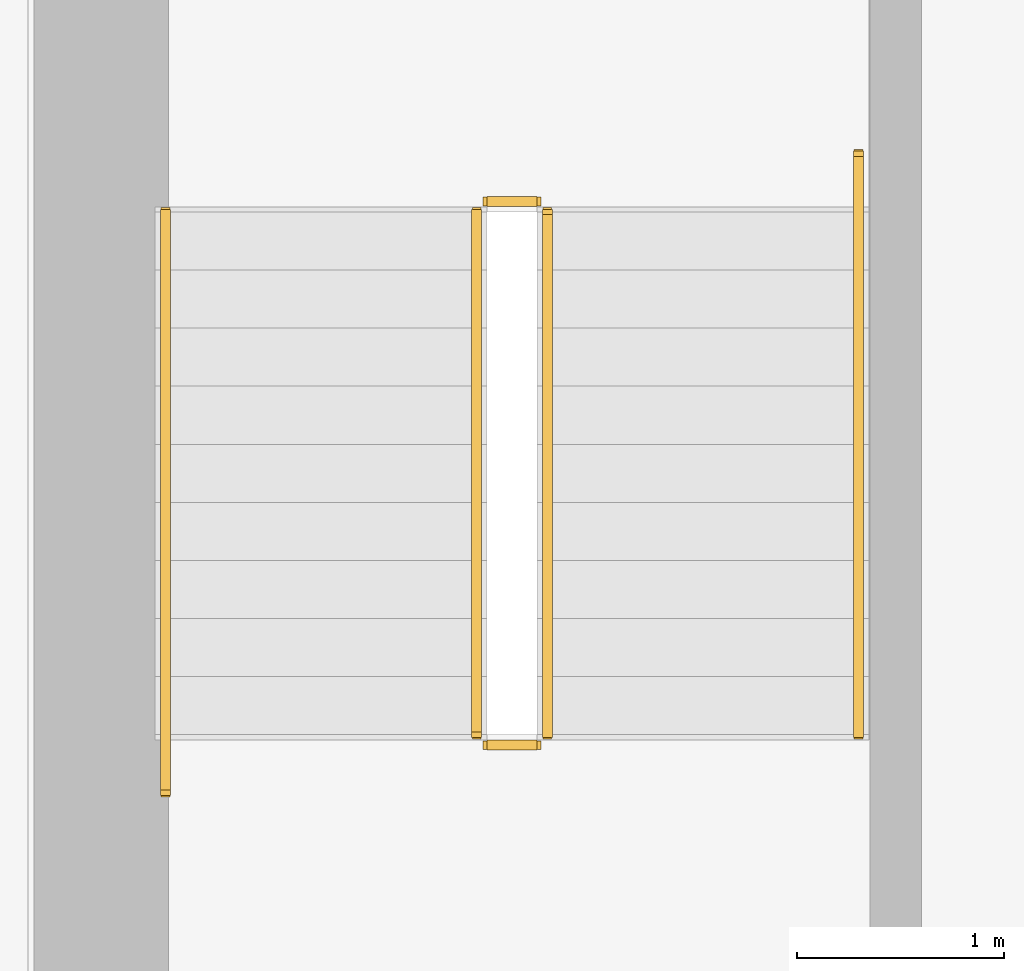
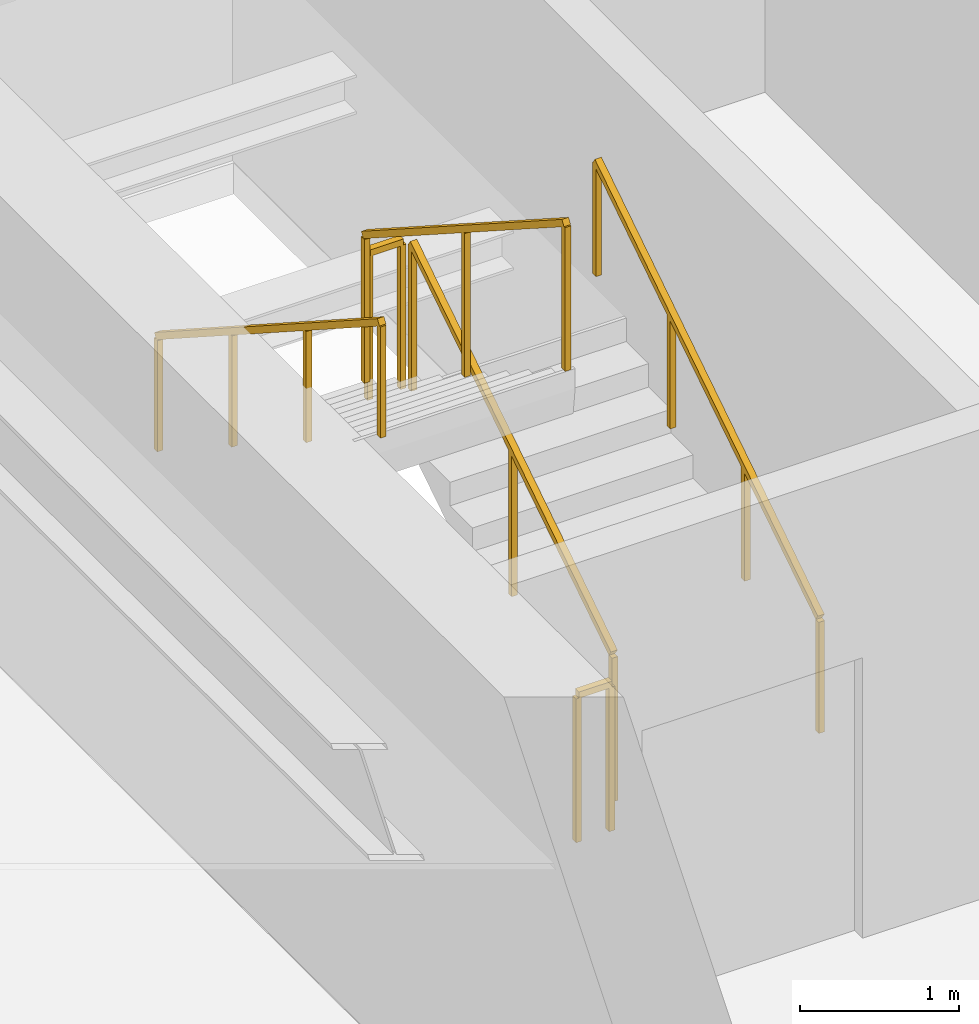
# One storey, part 32 of 35: 6 railings.
"""IFC4 building model written with IfcOpenShell, lengths in metres."""

from ifc_helpers import new_model, si_unit, direction, frame, origin, origin_2d, place, context, subcontext, project, spatial, rectangle, extrude, material, type_object, element, save


model = new_model("IFC4")

# Units and contexts
model_context = context("Model", 3, precision=1e-05, world=origin(), true_north=direction((0.0, 1.0)))
body_context = subcontext(model_context, "Body", "Model", "MODEL_VIEW")
ifc_project = project(units=[si_unit("LENGTHUNIT", "METRE"), si_unit("AREAUNIT", "SQUARE_METRE"), si_unit("VOLUMEUNIT", "CUBIC_METRE"), si_unit("PLANEANGLEUNIT", "RADIAN"), si_unit("MASSUNIT", "GRAM", prefix="KILO")], contexts=[model_context])

# Site, building, storey
site_placement = place(None, origin())
site = spatial("IfcSite", under=ifc_project, at=site_placement, CompositionType="ELEMENT")
building_placement = place(site_placement, origin())
building = spatial("IfcBuilding", under=site, at=building_placement, Name="Sumidabori Civic Tower", CompositionType="ELEMENT")
storey_placement = place(building_placement, frame((0.0, 0.0, 102.800048828125)))
storey = spatial("IfcBuildingStorey", under=building, at=storey_placement, Name="L26", CompositionType="ELEMENT", Elevation=102.800048828125)

# Railings
ifc_material_1 = material(Name="Stainless Steel Hairline Finish", Category="steel")
railing_type_1 = type_object("IfcRailingType", Name="RL-HANDRAIL", PredefinedType="HANDRAIL", material=ifc_material_1)
railing_1_placement = place(storey_placement, frame((-11.949951171875, 16.0, 0.179931640625)))
element("IfcRailing", 1, at=railing_1_placement, inside=storey, type_object=railing_type_1, Name="L26 ST-1 stair handrail 1", PredefinedType="HANDRAIL", context=body_context, shape_type="SweptSolid", body=[
    extrude(rectangle(XDim=0.048095703125, YDim=0.048095703125, at=origin_2d()), frame((0.0, 0.0, 0.8759765625), z_axis=(0.0, 0.840675598268, 0.541539046124), x_axis=(-1.0, 0.0, 0.0)), (0.0, 0.0, 1.0), 3.330810546875),
    extrude(rectangle(XDim=0.0419921875, YDim=0.0419921875, at=origin_2d()), origin(), (0.0, 0.0, 1.0), 0.851806640625),
    extrude(rectangle(XDim=0.0419921875, YDim=0.0419921875, at=origin_2d()), frame((0.0, 0.933349609375, 0.601318359375)), (0.0, 0.0, 1.0), 0.851806640625),
    extrude(rectangle(XDim=0.0419921875, YDim=0.0419921875, at=origin_2d()), frame((0.0, 1.86669921875, 1.202392578125)), (0.0, 0.0, 1.0), 0.851806640625),
    extrude(rectangle(XDim=0.0419921875, YDim=0.0419921875, at=origin_2d()), frame((0.0, 2.800048828125, 1.8037109375)), (0.0, 0.0, 1.0), 0.851806640625),
])
railing_2_placement = place(storey_placement, frame((-15.2900390625, 18.52001953125, 1.97998046875)))
element("IfcRailing", 2, at=railing_2_placement, inside=storey, type_object=railing_type_1, Name="L26 ST-1 stair handrail 2", PredefinedType="HANDRAIL", context=body_context, shape_type="SweptSolid", body=[
    extrude(rectangle(XDim=0.048095703125, YDim=0.048095703125, at=origin_2d()), frame((0.0, 0.0, 0.8759765625), z_axis=(0.0, -0.840675598268, 0.541539046124), x_axis=(1.0, 0.0, 0.0)), (0.0, 0.0, 1.0), 3.330810546875),
    extrude(rectangle(XDim=0.0419921875, YDim=0.0419921875, at=origin_2d()), origin(), (0.0, 0.0, 1.0), 0.851806640625),
    extrude(rectangle(XDim=0.0419921875, YDim=0.0419921875, at=origin_2d()), frame((0.0, -0.933349609375, 0.601318359375)), (0.0, 0.0, 1.0), 0.851806640625),
    extrude(rectangle(XDim=0.0419921875, YDim=0.0419921875, at=origin_2d()), frame((0.0, -1.86669921875, 1.202392578125)), (0.0, 0.0, 1.0), 0.851806640625),
    extrude(rectangle(XDim=0.0419921875, YDim=0.0419921875, at=origin_2d()), frame((0.0, -2.800048828125, 1.8037109375)), (0.0, 0.0, 1.0), 0.851806640625),
])
ifc_material_2 = material(Name="Steel SN490", Category="steel")
railing_type_2 = type_object("IfcRailingType", Name="RL-STAIR-GUARD", PredefinedType="GUARDRAIL", material=ifc_material_2)
railing_3_placement = place(storey_placement, frame((-13.449951171875, 16.0, 0.179931640625)))
element("IfcRailing", 3, at=railing_3_placement, inside=storey, type_object=railing_type_2, Name="L26 ST-1 stair guard 1", PredefinedType="GUARDRAIL", context=body_context, shape_type="SweptSolid", body=[
    extrude(rectangle(XDim=0.048095703125, YDim=0.048095703125, at=origin_2d()), frame((0.0, 0.0, 1.1259765625), z_axis=(0.0, 0.841162588446, 0.540782303519), x_axis=(-1.0, 0.0, 0.0)), (0.0, 0.0, 1.0), 2.995849609375),
    extrude(rectangle(XDim=0.0419921875, YDim=0.0419921875, at=origin_2d()), origin(), (0.0, 0.0, 1.0), 1.101806640625),
    extrude(rectangle(XDim=0.0419921875, YDim=0.0419921875, at=origin_2d()), frame((0.0, 1.260009765625, 0.81005859375)), (0.0, 0.0, 1.0), 1.101806640625),
    extrude(rectangle(XDim=0.0419921875, YDim=0.0419921875, at=origin_2d()), frame((0.0, 2.52001953125, 1.6201171875)), (0.0, 0.0, 1.0), 1.101806640625),
])
railing_4_placement = place(storey_placement, frame((-13.5, 18.570068359375, 1.800048828125)))
element("IfcRailing", 4, at=railing_4_placement, inside=storey, type_object=railing_type_2, Name="L26 ST-1 stair guard 2", PredefinedType="GUARDRAIL", context=body_context, shape_type="SweptSolid", body=[
    extrude(rectangle(XDim=0.048095703125, YDim=0.048095703125, at=origin_2d()), frame((0.0, 0.0, 1.1259765625), z_axis=(-1.0, 0.0, 0.0), x_axis=(0.0, -1.0, 0.0)), (0.0, 0.0, 1.0), 0.239990234375),
    extrude(rectangle(XDim=0.0419921875, YDim=0.0419921875, at=origin_2d()), origin(), (0.0, 0.0, 1.0), 1.101806640625),
    extrude(rectangle(XDim=0.0419921875, YDim=0.0419921875, at=origin_2d()), frame((-0.239990234375, 0.0, 0.0)), (0.0, 0.0, 1.0), 1.101806640625),
])
railing_5_placement = place(storey_placement, frame((-13.7900390625, 18.52001953125, 1.97998046875)))
element("IfcRailing", 5, at=railing_5_placement, inside=storey, type_object=railing_type_2, Name="L26 ST-1 stair guard 3", PredefinedType="GUARDRAIL", context=body_context, shape_type="SweptSolid", body=[
    extrude(rectangle(XDim=0.048095703125, YDim=0.048095703125, at=origin_2d()), frame((0.0, 0.0, 1.1259765625), z_axis=(0.0, -0.841199657755, 0.540724639528), x_axis=(1.0, 0.0, 0.0)), (0.0, 0.0, 1.0), 2.995849609375),
    extrude(rectangle(XDim=0.0419921875, YDim=0.0419921875, at=origin_2d()), origin(), (0.0, 0.0, 1.0), 1.101806640625),
    extrude(rectangle(XDim=0.0419921875, YDim=0.0419921875, at=origin_2d()), frame((0.0, -1.260009765625, 0.81005859375)), (0.0, 0.0, 1.0), 1.101806640625),
    extrude(rectangle(XDim=0.0419921875, YDim=0.0419921875, at=origin_2d()), frame((0.0, -2.52001953125, 1.619873046875)), (0.0, 0.0, 1.0), 1.101806640625),
])
railing_6_placement = place(storey_placement, frame((-13.5, 15.949951171875, 0.0)))
element("IfcRailing", 6, at=railing_6_placement, inside=storey, type_object=railing_type_2, Name="L26 ST-1 stair guard 4", PredefinedType="GUARDRAIL", context=body_context, shape_type="SweptSolid", body=[
    extrude(rectangle(XDim=0.048095703125, YDim=0.048095703125, at=origin_2d()), frame((0.0, 0.0, 1.1259765625), z_axis=(-1.0, 0.0, 0.0), x_axis=(0.0, -1.0, 0.0)), (0.0, 0.0, 1.0), 0.239990234375),
    extrude(rectangle(XDim=0.0419921875, YDim=0.0419921875, at=origin_2d()), origin(), (0.0, 0.0, 1.0), 1.101806640625),
    extrude(rectangle(XDim=0.0419921875, YDim=0.0419921875, at=origin_2d()), frame((-0.239990234375, 0.0, 0.0)), (0.0, 0.0, 1.0), 1.101806640625),
])

save(model, "model.ifc")
